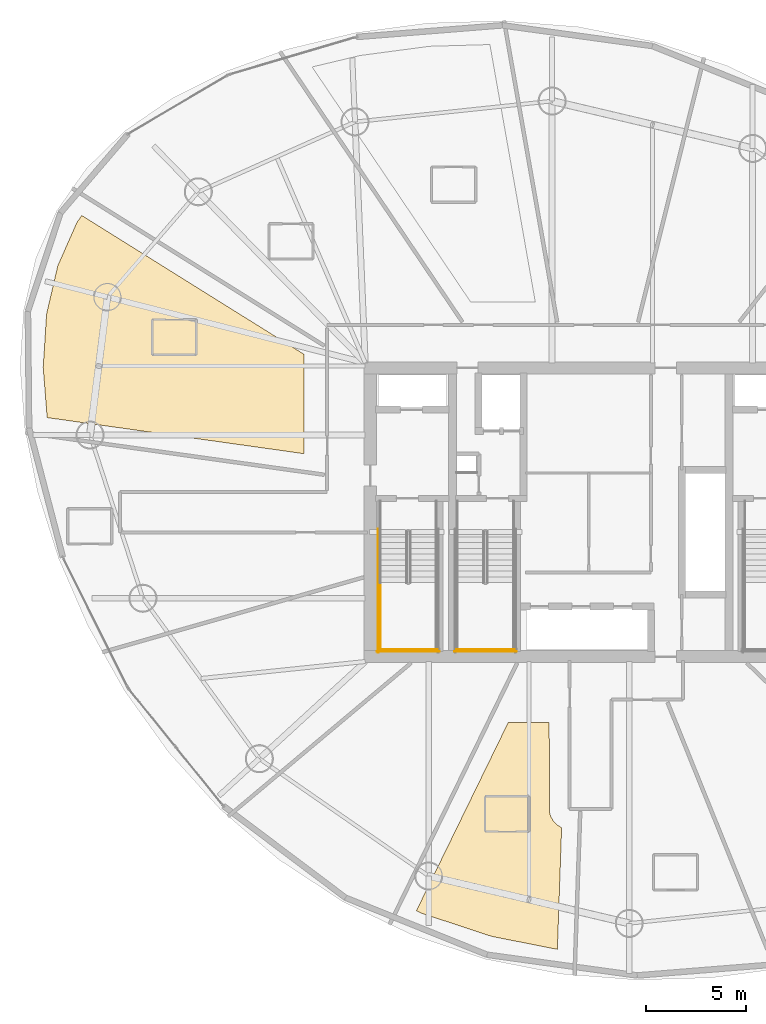
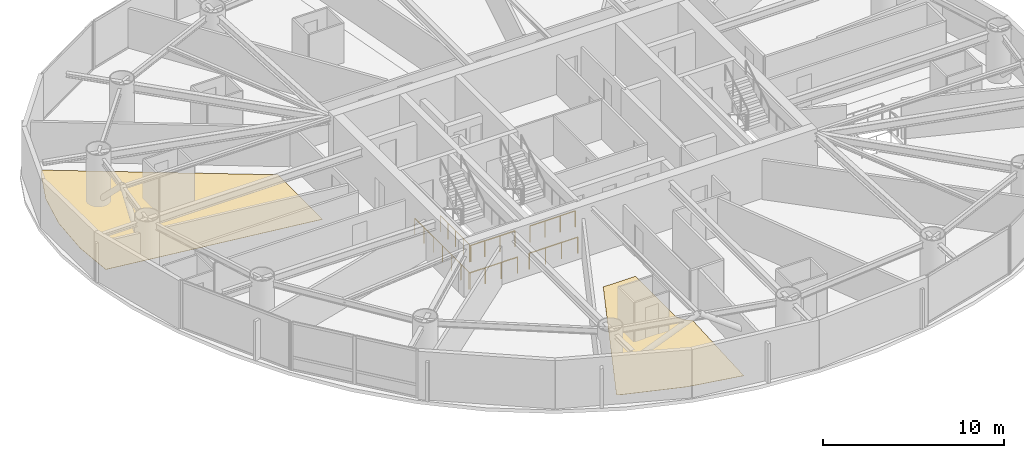
# One storey, part 21 of 24: 6 railings, 2 coverings.
"""IFC4 building model written with IfcOpenShell, lengths in metres."""

from ifc_helpers import new_model, si_unit, direction, frame, origin, origin_2d, place, context, subcontext, project, spatial, polyline, circle, outline, extrude, material, layer, layer_set, type_object, element, save


model = new_model("IFC4")

# Units and contexts
model_context = context("Model", 3, precision=1e-05, world=origin(), true_north=direction((0.0, 1.0)))
body_context = subcontext(model_context, "Body", "Model", "MODEL_VIEW")
ifc_project = project(units=[si_unit("LENGTHUNIT", "METRE"), si_unit("AREAUNIT", "SQUARE_METRE"), si_unit("VOLUMEUNIT", "CUBIC_METRE"), si_unit("PLANEANGLEUNIT", "RADIAN"), si_unit("MASSUNIT", "GRAM", prefix="KILO")], contexts=[model_context])

# Site, building, storey
site_placement = place(None, origin())
site = spatial("IfcSite", under=ifc_project, at=site_placement, CompositionType="ELEMENT")
building_placement = place(site_placement, origin())
building = spatial("IfcBuilding", under=site, at=building_placement, Name="Bramvorn Convention Spire", CompositionType="ELEMENT")
storey_placement = place(building_placement, frame((0.0, 0.0, 148.300048828125)))
storey = spatial("IfcBuildingStorey", under=building, at=storey_placement, Name="L37", CompositionType="ELEMENT", Elevation=148.300048828125)

# Coverings
ifc_material_1 = material(Name="Solution-Dyed Wool Broadloom Hospitality Carpet", Category="textile")
ifc_layer = layer(ifc_material_1, 0.014892578125)
ifc_layer_set = layer_set([ifc_layer], Name="Solution-Dyed Wool Broadloom Hospitality Carpet - FLR-CARPET-15")
covering_type = type_object("IfcCoveringType", Name="FLR-CARPET-15", PredefinedType="FLOORING", material=ifc_layer_set)
covering_1_placement = place(storey_placement, origin())
element("IfcCovering", 1, at=covering_1_placement, inside=storey, type_object=covering_type, Name="Hotel Suite 3707 wool broadloom carpet", PredefinedType="FLOORING", context=body_context, shape_type="SweptSolid", body=[
    extrude(outline(polyline([(10.87646484375, 30.720703125), (23.699951171875, 28.918701171875), (23.699951171875, 33.87451171875), (12.603515625, 40.80810546875), (12.367919921875, 40.472412109375), (11.408935546875, 38.301513671875), (10.8466796875, 35.884521484375), (10.67919921875, 33.218994140625), (10.87646484375, 30.720703125)])), origin(), (0.0, 0.0, 1.0), 0.014892578125),
])
covering_2_placement = place(storey_placement, origin())
element("IfcCovering", 2, at=covering_2_placement, inside=storey, type_object=covering_type, Name="Hotel Suite 3711 wool broadloom carpet", PredefinedType="FLOORING", context=body_context, shape_type="SweptSolid", body=[
    extrude(outline(polyline([(36.337646484375, 4.185791015625), (36.5498046875, 10.262939453125), (36.337646484375, 10.384521484375), (36.134521484375, 10.587646484375), (35.99169921875, 10.850830078125), (35.940185546875, 11.05615234375), (35.929931640625, 15.5), (33.880126953125, 15.5), (29.30078125, 6.110595703125), (29.5556640625, 5.98828125), (33.06689453125, 4.8310546875), (36.337646484375, 4.185791015625)])), origin(), (0.0, 0.0, 1.0), 0.014892578125),
])

# Railings
ifc_material_2 = material(Name="Painted Steel Balustrade & Guardrail", Category="steel")
railing_type = type_object("IfcRailingType", Name="RL-STAIR-GUARD-1100", PredefinedType="GUARDRAIL", material=ifc_material_2)
railing_1_placement = place(storey_placement, frame((27.5, 22.485107421875, 1.75)))
element("IfcRailing", 3, at=railing_1_placement, inside=storey, type_object=railing_type, Name="L37 ST1 stair guard 3", PredefinedType="GUARDRAIL", context=body_context, shape_type="SweptSolid", body=[
    extrude(circle(Radius=0.02392578125, at=origin_2d()), frame((0.0, 0.0, 1.076171875), z_axis=(0.0, -1.0, 0.0), x_axis=(1.0, 0.0, 0.0)), (0.0, 0.0, 1.0), 3.385009765625),
    extrude(circle(Radius=0.02099609375, at=origin_2d()), origin(), (0.0, 0.0, 1.0), 1.052001953125),
    extrude(circle(Radius=0.02099609375, at=origin_2d()), frame((0.0, -0.84619140625, 0.0)), (0.0, 0.0, 1.0), 1.052001953125),
    extrude(circle(Radius=0.02099609375, at=origin_2d()), frame((0.0, -1.6923828125, 0.0)), (0.0, 0.0, 1.0), 1.052001953125),
    extrude(circle(Radius=0.02099609375, at=origin_2d()), frame((0.0, -2.538818359375, 0.0)), (0.0, 0.0, 1.0), 1.052001953125),
    extrude(circle(Radius=0.02099609375, at=origin_2d()), frame((0.0, -3.385009765625, 0.0)), (0.0, 0.0, 1.0), 1.052001953125),
])
railing_2_placement = place(storey_placement, frame((27.449951171875, 19.14990234375, 1.75)))
element("IfcRailing", 4, at=railing_2_placement, inside=storey, type_object=railing_type, Name="L37 ST1 stair guard 5", PredefinedType="GUARDRAIL", context=body_context, shape_type="SweptSolid", body=[
    extrude(circle(Radius=0.02392578125, at=origin_2d()), frame((0.0, 0.0, 1.076171875), z_axis=(1.0, 0.0, 0.0), x_axis=(0.0, 1.0, 0.0)), (0.0, 0.0, 1.0), 2.900146484375),
    extrude(circle(Radius=0.02099609375, at=origin_2d()), origin(), (0.0, 0.0, 1.0), 1.052001953125),
    extrude(circle(Radius=0.02099609375, at=origin_2d()), frame((0.966796875, 0.0, 0.0)), (0.0, 0.0, 1.0), 1.052001953125),
    extrude(circle(Radius=0.02099609375, at=origin_2d()), frame((1.933349609375, 0.0, 0.0)), (0.0, 0.0, 1.0), 1.052001953125),
    extrude(circle(Radius=0.02099609375, at=origin_2d()), frame((2.900146484375, 0.0, 0.0)), (0.0, 0.0, 1.0), 1.052001953125),
])
railing_3_placement = place(storey_placement, frame((27.39990234375, 25.14990234375, 0.0)))
element("IfcRailing", 5, at=railing_3_placement, inside=storey, type_object=railing_type, Name="L37 ST1 stair guard 10", PredefinedType="GUARDRAIL", context=body_context, shape_type="SweptSolid", body=[
    extrude(circle(Radius=0.02392578125, at=origin_2d()), frame((0.0, 0.0, 1.076171875), z_axis=(0.0, -1.0, 0.0), x_axis=(1.0, 0.0, 0.0)), (0.0, 0.0, 1.0), 6.14990234375),
    extrude(circle(Radius=0.02099609375, at=origin_2d()), origin(), (0.0, 0.0, 1.0), 1.052001953125),
    extrude(circle(Radius=0.02099609375, at=origin_2d()), frame((0.0, -1.02490234375, 0.0)), (0.0, 0.0, 1.0), 1.052001953125),
    extrude(circle(Radius=0.02099609375, at=origin_2d()), frame((0.0, -2.050048828125, 0.0)), (0.0, 0.0, 1.0), 1.052001953125),
    extrude(circle(Radius=0.02099609375, at=origin_2d()), frame((0.0, -3.074951171875, 0.0)), (0.0, 0.0, 1.0), 1.052001953125),
    extrude(circle(Radius=0.02099609375, at=origin_2d()), frame((0.0, -4.099853515625, 0.0)), (0.0, 0.0, 1.0), 1.052001953125),
    extrude(circle(Radius=0.02099609375, at=origin_2d()), frame((0.0, -5.125, 0.0)), (0.0, 0.0, 1.0), 1.052001953125),
    extrude(circle(Radius=0.02099609375, at=origin_2d()), frame((0.0, -6.14990234375, 0.0)), (0.0, 0.0, 1.0), 1.052001953125),
])
railing_4_placement = place(storey_placement, frame((27.35009765625, 19.050048828125, 0.0)))
element("IfcRailing", 6, at=railing_4_placement, inside=storey, type_object=railing_type, Name="L37 ST1 stair guard 12", PredefinedType="GUARDRAIL", context=body_context, shape_type="SweptSolid", body=[
    extrude(circle(Radius=0.02392578125, at=origin_2d()), frame((0.0, 0.0, 1.076171875), z_axis=(1.0, 0.0, 0.0), x_axis=(0.0, 1.0, 0.0)), (0.0, 0.0, 1.0), 3.099853515625),
    extrude(circle(Radius=0.02099609375, at=origin_2d()), origin(), (0.0, 0.0, 1.0), 1.052001953125),
    extrude(circle(Radius=0.02099609375, at=origin_2d()), frame((1.033203125, 0.0, 0.0)), (0.0, 0.0, 1.0), 1.052001953125),
    extrude(circle(Radius=0.02099609375, at=origin_2d()), frame((2.066650390625, 0.0, 0.0)), (0.0, 0.0, 1.0), 1.052001953125),
    extrude(circle(Radius=0.02099609375, at=origin_2d()), frame((3.099853515625, 0.0, 0.0)), (0.0, 0.0, 1.0), 1.052001953125),
])
railing_5_placement = place(storey_placement, frame((31.300048828125, 19.14990234375, 1.75)))
element("IfcRailing", 7, at=railing_5_placement, inside=storey, type_object=railing_type, Name="L37 ST3 stair guard 5", PredefinedType="GUARDRAIL", context=body_context, shape_type="SweptSolid", body=[
    extrude(circle(Radius=0.02392578125, at=origin_2d()), frame((0.0, 0.0, 1.076171875), z_axis=(1.0, 0.0, 0.0), x_axis=(0.0, 1.0, 0.0)), (0.0, 0.0, 1.0), 2.89990234375),
    extrude(circle(Radius=0.02099609375, at=origin_2d()), origin(), (0.0, 0.0, 1.0), 1.052001953125),
    extrude(circle(Radius=0.02099609375, at=origin_2d()), frame((0.966552734375, 0.0, 0.0)), (0.0, 0.0, 1.0), 1.052001953125),
    extrude(circle(Radius=0.02099609375, at=origin_2d()), frame((1.933349609375, 0.0, 0.0)), (0.0, 0.0, 1.0), 1.052001953125),
    extrude(circle(Radius=0.02099609375, at=origin_2d()), frame((2.89990234375, 0.0, 0.0)), (0.0, 0.0, 1.0), 1.052001953125),
])
railing_6_placement = place(storey_placement, frame((31.199951171875, 19.050048828125, 0.0)))
element("IfcRailing", 8, at=railing_6_placement, inside=storey, type_object=railing_type, Name="L37 ST3 stair guard 12", PredefinedType="GUARDRAIL", context=body_context, shape_type="SweptSolid", body=[
    extrude(circle(Radius=0.02392578125, at=origin_2d()), frame((0.0, 0.0, 1.076171875), z_axis=(1.0, 0.0, 0.0), x_axis=(0.0, 1.0, 0.0)), (0.0, 0.0, 1.0), 3.10009765625),
    extrude(circle(Radius=0.02099609375, at=origin_2d()), origin(), (0.0, 0.0, 1.0), 1.052001953125),
    extrude(circle(Radius=0.02099609375, at=origin_2d()), frame((1.033447265625, 0.0, 0.0)), (0.0, 0.0, 1.0), 1.052001953125),
    extrude(circle(Radius=0.02099609375, at=origin_2d()), frame((2.066650390625, 0.0, 0.0)), (0.0, 0.0, 1.0), 1.052001953125),
    extrude(circle(Radius=0.02099609375, at=origin_2d()), frame((3.10009765625, 0.0, 0.0)), (0.0, 0.0, 1.0), 1.052001953125),
])

save(model, "model.ifc")
